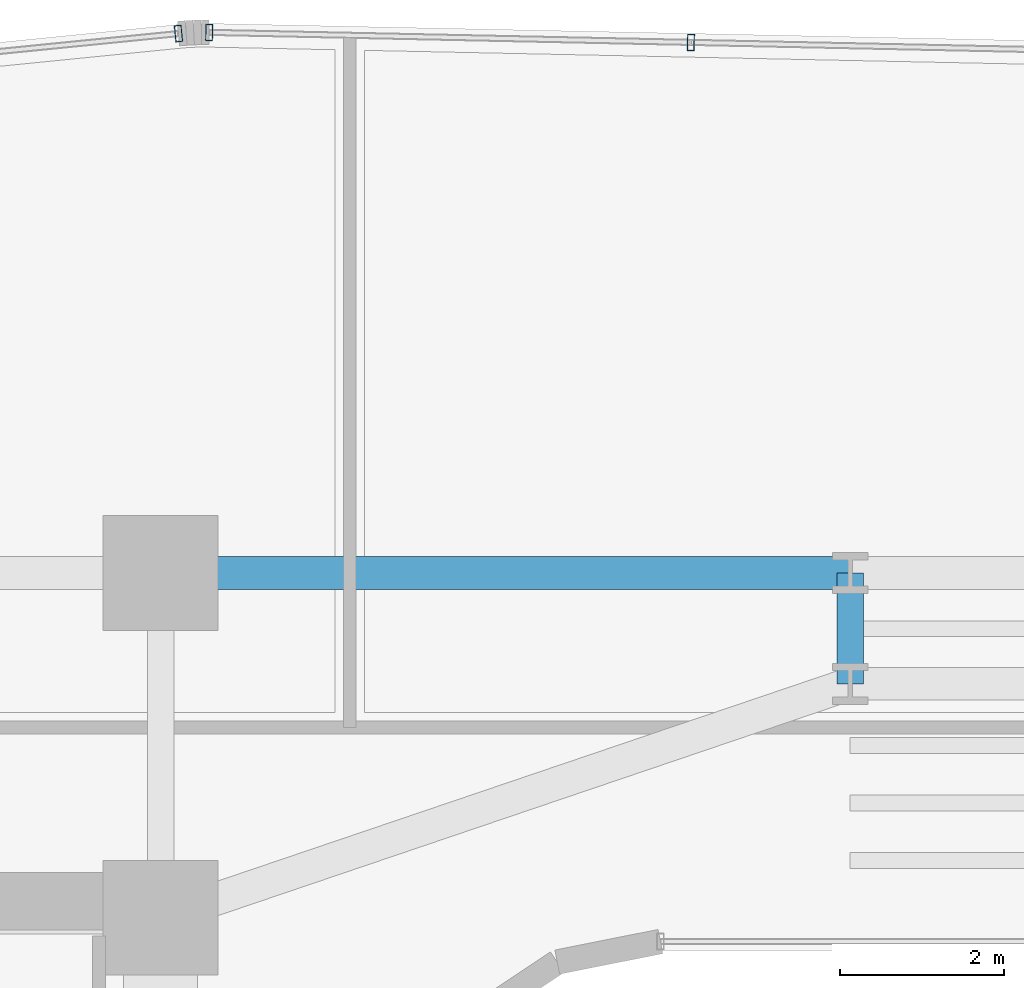
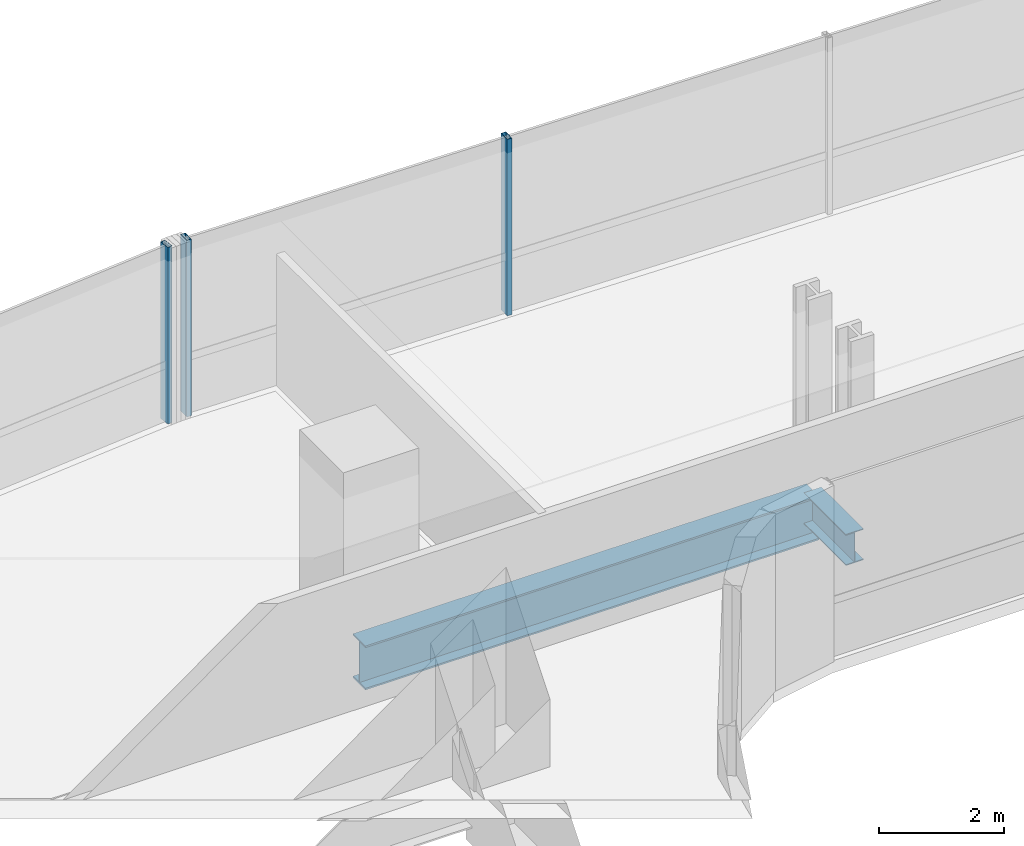
# One storey, part 19 of 39: 3 members, 2 beams, 2 elements without a shape of their own.
"""IFC4 building model written with IfcOpenShell, lengths in metres."""

from ifc_helpers import new_model, si_unit, direction, frame, origin, origin_2d, place, context, subcontext, project, spatial, hollow_rectangle, i_section, extrude, source, transform, mapped, material, material_profile, profile_set, type_object, element, aggregate, save


model = new_model("IFC4")

# Units and contexts
model_context = context("Model", 3, precision=1e-05, world=origin(), true_north=direction((0.0, 1.0)))
body_context = subcontext(model_context, "Body", "Model", "MODEL_VIEW")
ifc_project = project(units=[si_unit("LENGTHUNIT", "METRE"), si_unit("AREAUNIT", "SQUARE_METRE"), si_unit("VOLUMEUNIT", "CUBIC_METRE"), si_unit("PLANEANGLEUNIT", "RADIAN"), si_unit("MASSUNIT", "GRAM", prefix="KILO")], contexts=[model_context])

# Site, building, storey
site_placement = place(None, origin())
site = spatial("IfcSite", under=ifc_project, at=site_placement, CompositionType="ELEMENT")
building_placement = place(site_placement, origin())
building = spatial("IfcBuilding", under=site, at=building_placement, Name="Valdorenza Pilgrim Sanctuary Tower", CompositionType="ELEMENT")
storey_placement = place(building_placement, frame((0.0, 0.0, 70.39990234375)))
storey = spatial("IfcBuildingStorey", under=building, at=storey_placement, Name="L17", CompositionType="ELEMENT", Elevation=70.39990234375)

# Beams
ifc_material_1 = material(Name="Steel ASTM A992 Grade 50", Category="steel")
ifc_material_profile_1 = material_profile(ifc_material_1, i_section(OverallWidth=0.39990234375, OverallDepth=0.862060546875, WebThickness=0.019775390625, FlangeThickness=0.032470703125, at=origin_2d()), Name="W33X221")
ifc_profile_set_1 = profile_set([ifc_material_profile_1], Name="Steel ASTM A992 Grade 50")
beam_type_1 = type_object("IfcBeamType", Name="STR-BM-GRD-W33", PredefinedType="BEAM", material=ifc_profile_set_1)
shared_shape_1 = source(origin(), body_context, "Body", "SweptSolid", [
    extrude(i_section(OverallWidth=0.39990234375, OverallDepth=0.862060546875, WebThickness=0.019775390625, FlangeThickness=0.032470703125, at=origin_2d()), origin(), (0.0, 0.0, 1.0), 8.39990234375),
])
beam_1_placement = place(storey_placement, frame((-12.39990234375, 14.800048828125, -0.6708984375), z_axis=(1.0, 0.0, 0.0), x_axis=(0.0, 1.0, 0.0)))
element("IfcBeam", 1, at=beam_1_placement, inside=storey, type_object=beam_type_1, Name="L17 Floor Girder KNK-G4", PredefinedType="BEAM", context=body_context, shape_type="MappedRepresentation", body=[
    mapped(shared_shape_1, transform((0.0, 0.0, 0.0), x_axis=(1.0, 0.0, 0.0), y_axis=(0.0, 1.0, 0.0), z_axis=(0.0, 0.0, 1.0), scale=1.0)),
])
ifc_material_profile_2 = material_profile(ifc_material_1, i_section(OverallWidth=0.323974609375, OverallDepth=0.611083984375, WebThickness=0.0126953125, FlangeThickness=0.01904296875, at=origin_2d()), Name="W24X104")
ifc_profile_set_2 = profile_set([ifc_material_profile_2], Name="Steel ASTM A992 Grade 50")
beam_type_2 = type_object("IfcBeamType", Name="STR-BM-GRD-W24B", PredefinedType="BEAM", material=ifc_profile_set_2)
shared_shape_2 = source(origin(), body_context, "Body", "SweptSolid", [
    extrude(i_section(OverallWidth=0.323974609375, OverallDepth=0.611083984375, WebThickness=0.0126953125, FlangeThickness=0.01904296875, at=origin_2d()), origin(), (0.0, 0.0, 1.0), 1.35009765625),
])
beam_2_placement = place(storey_placement, frame((-4.0, 13.449951171875, -0.54541015625), z_axis=(0.0, 1.0, 0.0), x_axis=(-1.0, 0.0, 0.0)))
element("IfcBeam", 2, at=beam_2_placement, inside=storey, type_object=beam_type_2, Name="L17 Floor Girder KNK-TIE-W", PredefinedType="BEAM", context=body_context, shape_type="MappedRepresentation", body=[
    mapped(shared_shape_2, transform((0.0, 0.0, 0.0), x_axis=(1.0, 0.0, 0.0), y_axis=(0.0, 1.0, 0.0), z_axis=(0.0, 0.0, 1.0), scale=1.0)),
])

# Curtain wall, member
ifc_material_2 = material(Name="Curtain-wall IGU glazing", Category="glass")
curtain_wall_type = type_object("IfcCurtainWallType", Name="CW-SYS-02", PredefinedType="NOTDEFINED", material=ifc_material_2)
curtain_wall_1_placement = place(storey_placement, origin())
curtain_wall_1 = element("IfcCurtainWall", 3, at=curtain_wall_1_placement, inside=storey, type_object=curtain_wall_type, Name="L17 Curtain Wall CW-L17-1-6", PredefinedType="NOTDEFINED")
ifc_material_3 = material(Name="Anodised aluminium AW-6060", Category="aluminium")
ifc_material_profile_3 = material_profile(ifc_material_3, hollow_rectangle(XDim=0.0849609375, YDim=0.199951171875, WallThickness=0.0048828125, at=origin_2d()), Name="ALU-M 200x85x5")
ifc_profile_set_3 = profile_set([ifc_material_profile_3], Name="Anodised aluminium AW-6060")
member_type = type_object("IfcMemberType", Name="CW-MUL-02", PredefinedType="MULLION", material=ifc_profile_set_3)
shared_shape_3 = source(origin(), body_context, "Body", "SweptSolid", [
    extrude(hollow_rectangle(XDim=0.0849609375, YDim=0.199951171875, WallThickness=0.0048828125, at=origin_2d()), origin(), (0.0, 0.0, 1.0), 3.460205078125),
])
member_1_placement = place(storey_placement, frame((-12.181884765625, 21.371337890625, 0.0), z_axis=(0.0, 0.0, 1.0), x_axis=(0.995038220239, 0.099493418189, 0.0)))
member_1 = element("IfcMember", 4, at=member_1_placement, type_object=member_type, Name="CW-L17-1-6 Mullion 4", PredefinedType="MULLION", context=body_context, shape_type="MappedRepresentation", body=[
    mapped(shared_shape_3, transform((0.0, 0.0, 0.0), x_axis=(1.0, 0.0, 0.0), y_axis=(0.0, 1.0, 0.0), z_axis=(0.0, 0.0, 1.0), scale=1.0)),
])
aggregate(curtain_wall_1, [member_1])

# Curtain wall, members
curtain_wall_2_placement = place(storey_placement, origin())
curtain_wall_2 = element("IfcCurtainWall", 5, at=curtain_wall_2_placement, inside=storey, type_object=curtain_wall_type, Name="L17 Curtain Wall CW-L17-1-11", PredefinedType="NOTDEFINED")
member_2_placement = place(storey_placement, frame((-11.808349609375, 21.385986328125, 0.0), z_axis=(0.0, 0.0, 1.0), x_axis=(0.999783234613, -0.020820273474, 0.0)))
member_2 = element("IfcMember", 6, at=member_2_placement, type_object=member_type, Name="CW-L17-1-11 Mullion 1", PredefinedType="MULLION", context=body_context, shape_type="MappedRepresentation", body=[
    mapped(shared_shape_3, transform((0.0, 0.0, 0.0), x_axis=(1.0, 0.0, 0.0), y_axis=(0.0, 1.0, 0.0), z_axis=(0.0, 0.0, 1.0), scale=1.0)),
])
member_3_placement = place(storey_placement, frame((-5.93994140625, 21.263671875, 0.0), z_axis=(0.0, 0.0, 1.0), x_axis=(0.999783234613, -0.020820273474, 0.0)))
member_3 = element("IfcMember", 7, at=member_3_placement, type_object=member_type, Name="CW-L17-1-11 Mullion 2", PredefinedType="MULLION", context=body_context, shape_type="MappedRepresentation", body=[
    mapped(shared_shape_3, transform((0.0, 0.0, 0.0), x_axis=(1.0, 0.0, 0.0), y_axis=(0.0, 1.0, 0.0), z_axis=(0.0, 0.0, 1.0), scale=1.0)),
])
aggregate(curtain_wall_2, [member_2, member_3])

save(model, "model.ifc")
